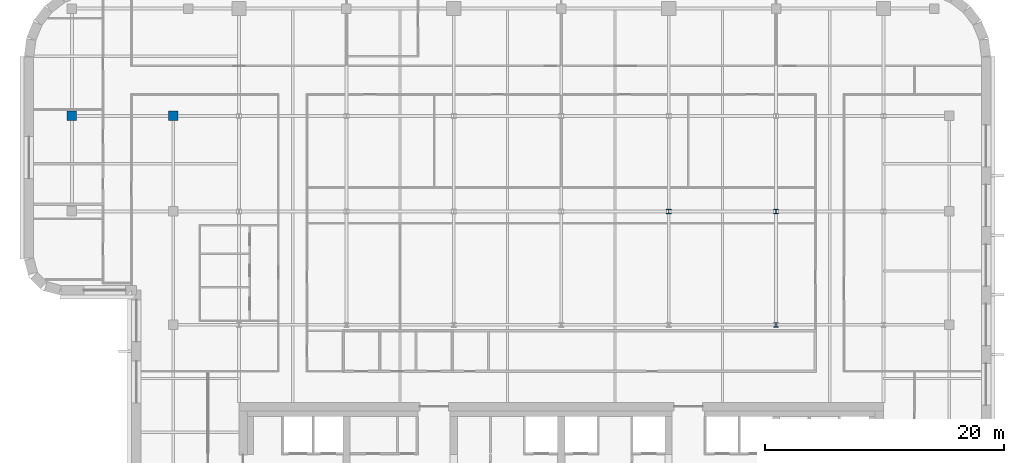
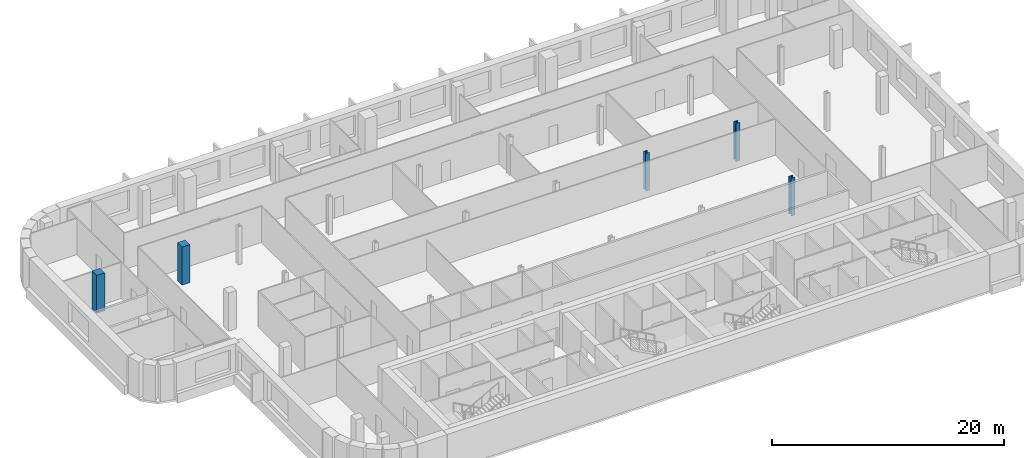
# One storey, part 2 of 16: 5 columns.
"""IFC4 building model written with IfcOpenShell, lengths in metres."""

from ifc_helpers import new_model, si_unit, direction, frame, origin, origin_2d, place, context, subcontext, project, spatial, rectangle, i_section, extrude, material, material_profile, profile_set, type_object, element, save


model = new_model("IFC4")

# Units and contexts
model_context = context("Model", 3, precision=1e-05, world=origin(), true_north=direction((0.0, 1.0)))
body_context = subcontext(model_context, "Body", "Model", "MODEL_VIEW")
ifc_project = project(units=[si_unit("LENGTHUNIT", "METRE"), si_unit("AREAUNIT", "SQUARE_METRE"), si_unit("VOLUMEUNIT", "CUBIC_METRE"), si_unit("PLANEANGLEUNIT", "RADIAN"), si_unit("MASSUNIT", "GRAM", prefix="KILO")], contexts=[model_context])

# Site, building, storey
site_placement = place(None, origin())
site = spatial("IfcSite", under=ifc_project, at=site_placement, CompositionType="ELEMENT")
building_placement = place(site_placement, origin())
building = spatial("IfcBuilding", under=site, at=building_placement, Name="Zellij Exchange Tower", CompositionType="ELEMENT")
storey_placement = place(building_placement, frame((0.0, 0.0, 236.5)))
storey = spatial("IfcBuildingStorey", under=building, at=storey_placement, Name="L55", CompositionType="ELEMENT", Elevation=236.5)

# Columns
ifc_material_1 = material(Name="Concrete C50/60", Category="concrete")
ifc_material_profile_1 = material_profile(ifc_material_1, rectangle(XDim=0.800048828125, YDim=0.800048828125, at=origin_2d()), Name="STR-COLUMN RC800x800 C50/60")
ifc_profile_set_1 = profile_set([ifc_material_profile_1], Name="Concrete C50/60")
column_type_1 = type_object("IfcColumnType", Name="STR-COLUMN RC800x800 C50/60", PredefinedType="COLUMN", material=ifc_profile_set_1)
for number, where, z_axis, x_axis, name in (
    (1, (-41.0, 22.0, 0.0), (0.0, 0.0, 1.0), (1.0, 0.0, 0.0), "C15"),
    (2, (-32.5, 22.0, 0.0), (0.0, 0.0, 1.0), (1.0, 0.0, 0.0), "C15"),
):
    element("IfcColumn", number, at=place(storey_placement, frame(where, z_axis=z_axis, x_axis=x_axis)), inside=storey, type_object=column_type_1, Name=name, PredefinedType="COLUMN", context=body_context, shape_type="SweptSolid", body=[
        extrude(rectangle(XDim=0.800048828125, YDim=0.800048828125, at=origin_2d()), origin(), (0.0, 0.0, 1.0), 4.0),
    ])
ifc_material_2 = material(Name="Structural steel ASTM A992 Gr 50", Category="steel")
ifc_material_profile_2 = material_profile(ifc_material_2, i_section(OverallWidth=0.398681640625, OverallDepth=0.385986328125, WebThickness=0.02099609375, FlangeThickness=0.033203125, at=origin_2d()), Name="W14x176")
ifc_profile_set_2 = profile_set([ifc_material_profile_2], Name="Structural steel ASTM A992 Gr 50")
column_type_2 = type_object("IfcColumnType", Name="STR-COLUMN W14x176", PredefinedType="COLUMN", material=ifc_profile_set_2)
for number, where, z_axis, x_axis, name in (
    (3, (18.0, 4.5, 0.0), (0.0, 0.0, 1.0), (1.0, 0.0, 0.0), "C2"),
    (4, (9.0, 14.0, 0.0), (0.0, 0.0, 1.0), (1.0, 0.0, 0.0), "C2"),
    (5, (18.0, 14.0, 0.0), (0.0, 0.0, 1.0), (1.0, 0.0, 0.0), "C2"),
):
    element("IfcColumn", number, at=place(storey_placement, frame(where, z_axis=z_axis, x_axis=x_axis)), inside=storey, type_object=column_type_2, Name=name, PredefinedType="COLUMN", context=body_context, shape_type="SweptSolid", body=[
        extrude(i_section(OverallWidth=0.398681640625, OverallDepth=0.385986328125, WebThickness=0.02099609375, FlangeThickness=0.033203125, at=origin_2d()), origin(), (0.0, 0.0, 1.0), 4.0),
    ])

save(model, "model.ifc")
